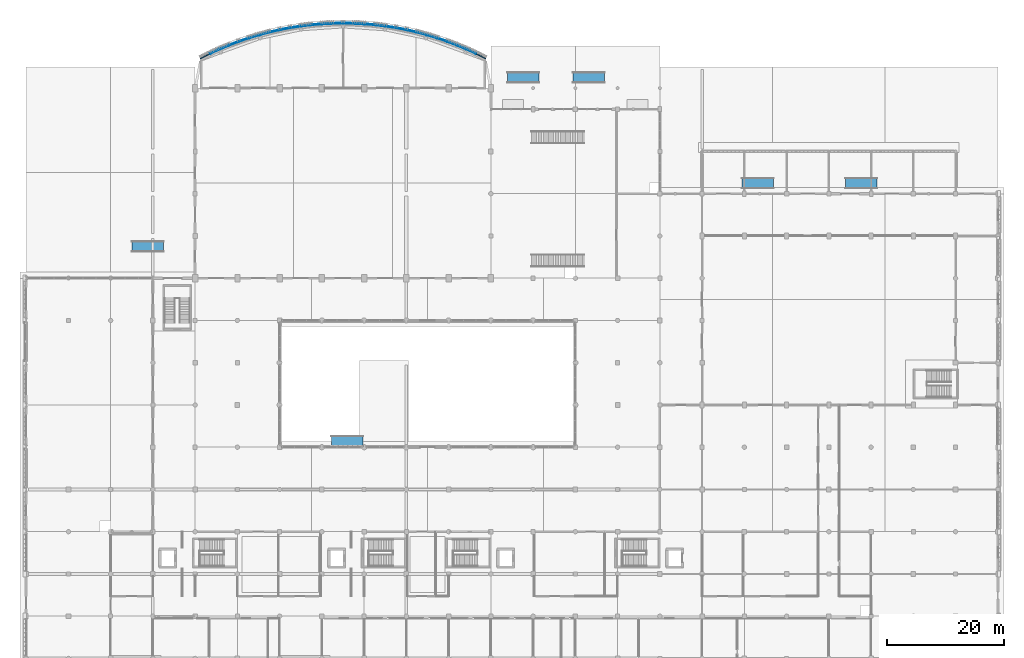
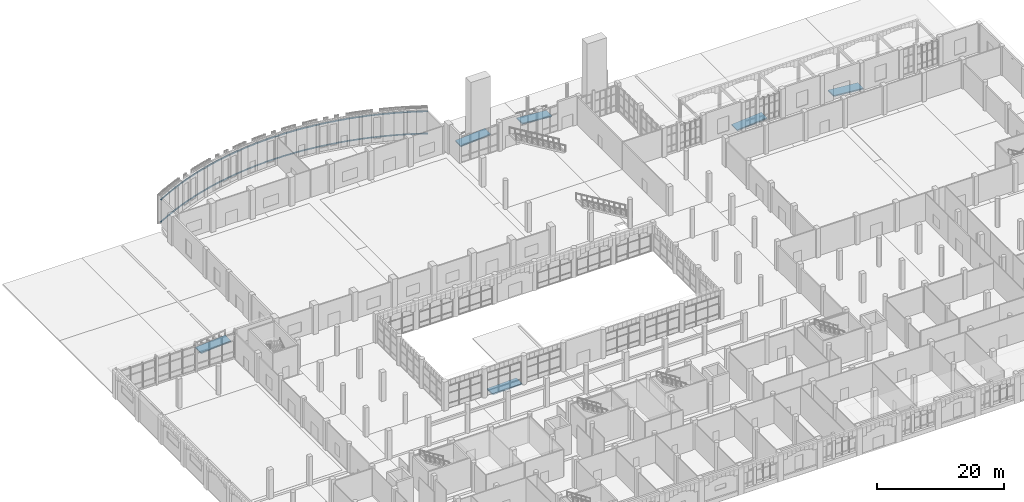
# One storey, part 66 of 85: 56 discrete accessories, 6 ramp flights, 6 elements without a shape of their own.
"""IFC4 building model written with IfcOpenShell, lengths in metres."""

from ifc_helpers import new_model, si_unit, direction, frame, origin, place, context, subcontext, project, spatial, polyline, rectangle, outline, extrude, material, type_object, element, aggregate, save


model = new_model("IFC4")

# Units and contexts
model_context = context("Model", 3, precision=1e-05, world=origin(), true_north=direction((0.0, 1.0)))
body_context = subcontext(model_context, "Body", "Model", "MODEL_VIEW")
ifc_project = project(units=[si_unit("LENGTHUNIT", "METRE"), si_unit("AREAUNIT", "SQUARE_METRE"), si_unit("VOLUMEUNIT", "CUBIC_METRE"), si_unit("PLANEANGLEUNIT", "RADIAN"), si_unit("MASSUNIT", "GRAM", prefix="KILO")], contexts=[model_context])

# Site, building, storey
site_placement = place(None, origin())
site = spatial("IfcSite", under=ifc_project, at=site_placement, CompositionType="ELEMENT")
building_placement = place(site_placement, origin())
building = spatial("IfcBuilding", under=site, at=building_placement, Name="Sardonyx Promenade Sports Hall", CompositionType="ELEMENT")
storey_placement = place(building_placement, origin())
storey = spatial("IfcBuildingStorey", under=building, at=storey_placement, Name="L00", CompositionType="ELEMENT", Elevation=0.0)

# Ramp, ramp flight
ifc_material_1 = material(Name="Concrete C40/50", Category="concrete")
ramp_type = type_object("IfcRampType", Name="Ramp_Access_1in12", PredefinedType="STRAIGHT_RUN_RAMP", material=ifc_material_1)
ramp_1_placement = place(storey_placement, frame((82.0, 106.2, -0.45), z_axis=(0.0, 0.0, 1.0), x_axis=(1.0, 0.0, 0.0)))
ramp_1 = element("IfcRamp", 1, at=ramp_1_placement, inside=storey, type_object=ramp_type, material=ifc_material_1, Name="Pishtaq Forecourt West Step-Free Ramp RMP1 #1", PredefinedType="STRAIGHT_RUN_RAMP")
ramp_flight_type = type_object("IfcRampFlightType", Name="RampFlight_Access", PredefinedType="STRAIGHT", material=ifc_material_1)
ramp_flight_1_placement = place(storey_placement, frame((82.0, 106.2, -0.45), z_axis=(0.0, -1.0, 0.0), x_axis=(1.0, 0.0, 0.0)))
ramp_flight_1 = element("IfcRampFlight", 2, at=ramp_flight_1_placement, type_object=ramp_flight_type, material=ifc_material_1, Name="Pishtaq Forecourt West Step-Free Ramp flight #1", PredefinedType="STRAIGHT", context=body_context, shape_type="SweptSolid", body=[
    extrude(outline(polyline([(0.0, 0.0), (5.4, 0.45), (5.4, 0.23), (0.0, -0.22), (0.0, 0.0)])), frame((0.0, 0.0, -0.9)), (0.0, 0.0, 1.0), 1.8),
])
aggregate(ramp_1, [ramp_flight_1])

ramp_2_placement = place(storey_placement, frame((98.6, 106.2, -0.45), z_axis=(0.0, 0.0, 1.0), x_axis=(1.0, 0.0, 0.0)))
ramp_2 = element("IfcRamp", 3, at=ramp_2_placement, inside=storey, type_object=ramp_type, material=ifc_material_1, Name="Pishtaq Forecourt East Step-Free Ramp RMP1 #2", PredefinedType="STRAIGHT_RUN_RAMP")
ramp_flight_2_placement = place(storey_placement, frame((98.6, 106.2, -0.45), z_axis=(0.0, 1.0, 0.0), x_axis=(-1.0, 0.0, 0.0)))
ramp_flight_2 = element("IfcRampFlight", 4, at=ramp_flight_2_placement, type_object=ramp_flight_type, material=ifc_material_1, Name="Pishtaq Forecourt East Step-Free Ramp flight #2", PredefinedType="STRAIGHT", context=body_context, shape_type="SweptSolid", body=[
    extrude(outline(polyline([(0.0, 0.0), (5.4, 0.45), (5.4, 0.23), (0.0, -0.22), (0.0, 0.0)])), frame((0.0, 0.0, -0.9)), (0.0, 0.0, 1.0), 1.8),
])
aggregate(ramp_2, [ramp_flight_2])

ramp_3_placement = place(storey_placement, frame((18.0, 77.4, -0.45), z_axis=(0.0, 0.0, 1.0), x_axis=(1.0, 0.0, 0.0)))
ramp_3 = element("IfcRamp", 5, at=ramp_3_placement, inside=storey, type_object=ramp_type, material=ifc_material_1, Name="West Promenade Step-Free Ramp RMP1 #3", PredefinedType="STRAIGHT_RUN_RAMP")
ramp_flight_3_placement = place(storey_placement, frame((18.0, 77.4, -0.45), z_axis=(0.0, -1.0, 0.0), x_axis=(1.0, 0.0, 0.0)))
ramp_flight_3 = element("IfcRampFlight", 6, at=ramp_flight_3_placement, type_object=ramp_flight_type, material=ifc_material_1, Name="West Promenade Step-Free Ramp flight #3", PredefinedType="STRAIGHT", context=body_context, shape_type="SweptSolid", body=[
    extrude(outline(polyline([(0.0, 0.0), (5.4, 0.45), (5.4, 0.23), (0.0, -0.22), (0.0, 0.0)])), frame((0.0, 0.0, -0.9)), (0.0, 0.0, 1.0), 1.8),
])
aggregate(ramp_3, [ramp_flight_3])

ramp_4_placement = place(storey_placement, frame((122.0, 88.2, -0.45), z_axis=(0.0, 0.0, 1.0), x_axis=(1.0, 0.0, 0.0)))
ramp_4 = element("IfcRamp", 7, at=ramp_4_placement, inside=storey, type_object=ramp_type, material=ifc_material_1, Name="East Promenade Step-Free Ramp RMP1 #4", PredefinedType="STRAIGHT_RUN_RAMP")
ramp_flight_4_placement = place(storey_placement, frame((122.0, 88.2, -0.45), z_axis=(0.0, -1.0, 0.0), x_axis=(1.0, 0.0, 0.0)))
ramp_flight_4 = element("IfcRampFlight", 8, at=ramp_flight_4_placement, type_object=ramp_flight_type, material=ifc_material_1, Name="East Promenade Step-Free Ramp flight #4", PredefinedType="STRAIGHT", context=body_context, shape_type="SweptSolid", body=[
    extrude(outline(polyline([(0.0, 0.0), (5.4, 0.45), (5.4, 0.23), (0.0, -0.22), (0.0, 0.0)])), frame((0.0, 0.0, -0.9)), (0.0, 0.0, 1.0), 1.8),
])
aggregate(ramp_4, [ramp_flight_4])

ramp_5_placement = place(storey_placement, frame((145.0, 88.2, -0.45), z_axis=(0.0, 0.0, 1.0), x_axis=(1.0, 0.0, 0.0)))
ramp_5 = element("IfcRamp", 9, at=ramp_5_placement, inside=storey, type_object=ramp_type, material=ifc_material_1, Name="Athletes Drop-Off Step-Free Ramp RMP1 #5", PredefinedType="STRAIGHT_RUN_RAMP")
ramp_flight_5_placement = place(storey_placement, frame((145.0, 88.2, -0.45), z_axis=(0.0, 1.0, 0.0), x_axis=(-1.0, 0.0, 0.0)))
ramp_flight_5 = element("IfcRampFlight", 10, at=ramp_flight_5_placement, type_object=ramp_flight_type, material=ifc_material_1, Name="Athletes Drop-Off Step-Free Ramp flight #5", PredefinedType="STRAIGHT", context=body_context, shape_type="SweptSolid", body=[
    extrude(outline(polyline([(0.0, 0.0), (5.4, 0.45), (5.4, 0.23), (0.0, -0.22), (0.0, 0.0)])), frame((0.0, 0.0, -0.9)), (0.0, 0.0, 1.0), 1.8),
])
aggregate(ramp_5, [ramp_flight_5])

ramp_6_placement = place(storey_placement, frame((52.0, 44.2, -0.18), z_axis=(0.0, 0.0, 1.0), x_axis=(1.0, 0.0, 0.0)))
ramp_6 = element("IfcRamp", 11, at=ramp_6_placement, inside=storey, type_object=ramp_type, material=ifc_material_1, Name="Charbagh Courtyard Step-Free Threshold Ramp RMP1 #6", PredefinedType="STRAIGHT_RUN_RAMP")
ramp_flight_6_placement = place(storey_placement, frame((52.0, 44.2, -0.18), z_axis=(0.0, -1.0, 0.0), x_axis=(1.0, 0.0, 0.0)))
ramp_flight_6 = element("IfcRampFlight", 12, at=ramp_flight_6_placement, type_object=ramp_flight_type, material=ifc_material_1, Name="Charbagh Courtyard Step-Free Threshold Ramp flight #6", PredefinedType="STRAIGHT", context=body_context, shape_type="SweptSolid", body=[
    extrude(outline(polyline([(0.0, 0.0), (5.4, 0.18), (5.4, -0.04), (0.0, -0.22), (0.0, 0.0)])), frame((0.0, 0.0, -0.9)), (0.0, 0.0, 1.0), 1.8),
])
aggregate(ramp_6, [ramp_flight_6])

# Discrete accessories
ifc_material_2 = material(Name="Steel S355JR", Category="steel")
discrete_accessory_type = type_object("IfcDiscreteAccessoryType", Name="Acc_Bracket_S355", PredefinedType="BRACKET", material=ifc_material_2)
for number, where, z_axis, x_axis, name in (
    (13, (30.469122, 109.831552, 0.69), (0.0, 0.0, 1.0), (0.89277382, 0.45050517, 0.0), "Facade outrigger bracket CH01 L00 #1"),
    (14, (30.469122, 109.831552, 4.97), (0.0, 0.0, 1.0), (0.89277382, 0.45050517, 0.0), "Facade outrigger bracket CH01 L00 #2"),
    (15, (32.097147, 110.618023, 0.69), (0.0, 0.0, 1.0), (0.90783091, 0.41933642, 0.0), "Facade outrigger bracket CH02 L00 #1"),
    (16, (32.097147, 110.618023, 4.97), (0.0, 0.0, 1.0), (0.90783091, 0.41933642, 0.0), "Facade outrigger bracket CH02 L00 #2"),
    (17, (33.751417, 111.347677, 0.69), (0.0, 0.0, 1.0), (0.92180024, 0.38766521, 0.0), "Facade outrigger bracket CH03 L00 #1"),
    (18, (33.751417, 111.347677, 4.97), (0.0, 0.0, 1.0), (0.92180024, 0.38766521, 0.0), "Facade outrigger bracket CH03 L00 #2"),
    (19, (35.429949, 112.019638, 0.69), (0.0, 0.0, 1.0), (0.93466568, 0.35552787, 0.0), "Facade outrigger bracket CH04 L00 #1"),
    (20, (35.429949, 112.019638, 4.97), (0.0, 0.0, 1.0), (0.93466568, 0.35552787, 0.0), "Facade outrigger bracket CH04 L00 #2"),
    (21, (37.130732, 112.633102, 0.69), (0.0, 0.0, 1.0), (0.94641052, 0.32296615, 0.0), "Facade outrigger bracket CH05 L00 #1"),
    (22, (37.130732, 112.633102, 4.97), (0.0, 0.0, 1.0), (0.94641052, 0.32296615, 0.0), "Facade outrigger bracket CH05 L00 #2"),
    (23, (38.851728, 113.187335, 0.69), (0.0, 0.0, 1.0), (0.95702136, 0.29001744, 0.0), "Facade outrigger bracket CH06 L00 #1"),
    (24, (38.851728, 113.187335, 4.97), (0.0, 0.0, 1.0), (0.95702136, 0.29001744, 0.0), "Facade outrigger bracket CH06 L00 #2"),
    (25, (40.590875, 113.681672, 0.69), (0.0, 0.0, 1.0), (0.96648549, 0.25672123, 0.0), "Facade outrigger bracket CH07 L00 #1"),
    (26, (40.590875, 113.681672, 4.97), (0.0, 0.0, 1.0), (0.96648549, 0.25672123, 0.0), "Facade outrigger bracket CH07 L00 #2"),
    (27, (42.346089, 114.11552, 0.69), (0.0, 0.0, 1.0), (0.97479158, 0.22311741, 0.0), "Facade outrigger bracket CH08 L00 #1"),
    (28, (42.346089, 114.11552, 4.97), (0.0, 0.0, 1.0), (0.97479158, 0.22311741, 0.0), "Facade outrigger bracket CH08 L00 #2"),
    (29, (44.115267, 114.488361, 0.69), (0.0, 0.0, 1.0), (0.98192966, 0.18924626, 0.0), "Facade outrigger bracket CH09 L00 #1"),
    (30, (44.115267, 114.488361, 4.97), (0.0, 0.0, 1.0), (0.98192966, 0.18924626, 0.0), "Facade outrigger bracket CH09 L00 #2"),
    (31, (45.89629, 114.799746, 0.69), (0.0, 0.0, 1.0), (0.98789118, 0.15514835, 0.0), "Facade outrigger bracket CH10 L00 #1"),
    (32, (45.89629, 114.799746, 4.97), (0.0, 0.0, 1.0), (0.98789118, 0.15514835, 0.0), "Facade outrigger bracket CH10 L00 #2"),
    (33, (47.687023, 115.049303, 0.69), (0.0, 0.0, 1.0), (0.99266922, 0.1208628, 0.0), "Facade outrigger bracket CH11 L00 #1"),
    (34, (47.687023, 115.049303, 4.97), (0.0, 0.0, 1.0), (0.99266922, 0.1208628, 0.0), "Facade outrigger bracket CH11 L00 #2"),
    (35, (49.48532, 115.236732, 0.69), (0.0, 0.0, 1.0), (0.99625756, 0.08643416, 0.0), "Facade outrigger bracket CH12 L00 #1"),
    (36, (49.48532, 115.236732, 4.97), (0.0, 0.0, 1.0), (0.99625756, 0.08643416, 0.0), "Facade outrigger bracket CH12 L00 #2"),
    (37, (51.289026, 115.361811, 0.69), (0.0, 0.0, 1.0), (0.99865218, 0.05190196, 0.0), "Facade outrigger bracket CH13 L00 #1"),
    (38, (51.289026, 115.361811, 4.97), (0.0, 0.0, 1.0), (0.99865218, 0.05190196, 0.0), "Facade outrigger bracket CH13 L00 #2"),
    (39, (53.095981, 115.424387, 0.69), (0.0, 0.0, 1.0), (0.99985021, 0.01730757, 0.0), "Facade outrigger bracket CH14 L00 #1"),
    (40, (53.095981, 115.424387, 4.97), (0.0, 0.0, 1.0), (0.99985021, 0.01730757, 0.0), "Facade outrigger bracket CH14 L00 #2"),
    (41, (54.904019, 115.424387, 0.69), (0.0, 0.0, 1.0), (0.99985021, -0.01730757, 0.0), "Facade outrigger bracket CH15 L00 #1"),
    (42, (54.904019, 115.424387, 4.97), (0.0, 0.0, 1.0), (0.99985021, -0.01730757, 0.0), "Facade outrigger bracket CH15 L00 #2"),
    (43, (56.710974, 115.361811, 0.69), (0.0, 0.0, 1.0), (0.99865218, -0.05190196, 0.0), "Facade outrigger bracket CH16 L00 #1"),
    (44, (56.710974, 115.361811, 4.97), (0.0, 0.0, 1.0), (0.99865218, -0.05190196, 0.0), "Facade outrigger bracket CH16 L00 #2"),
    (45, (58.51468, 115.236732, 0.69), (0.0, 0.0, 1.0), (0.99625756, -0.08643416, 0.0), "Facade outrigger bracket CH17 L00 #1"),
    (46, (58.51468, 115.236732, 4.97), (0.0, 0.0, 1.0), (0.99625756, -0.08643416, 0.0), "Facade outrigger bracket CH17 L00 #2"),
    (47, (60.312977, 115.049303, 0.69), (0.0, 0.0, 1.0), (0.99266922, -0.1208628, 0.0), "Facade outrigger bracket CH18 L00 #1"),
    (48, (60.312977, 115.049303, 4.97), (0.0, 0.0, 1.0), (0.99266922, -0.1208628, 0.0), "Facade outrigger bracket CH18 L00 #2"),
    (49, (62.10371, 114.799746, 0.69), (0.0, 0.0, 1.0), (0.98789118, -0.15514835, 0.0), "Facade outrigger bracket CH19 L00 #1"),
    (50, (62.10371, 114.799746, 4.97), (0.0, 0.0, 1.0), (0.98789118, -0.15514835, 0.0), "Facade outrigger bracket CH19 L00 #2"),
    (51, (63.884733, 114.488361, 0.69), (0.0, 0.0, 1.0), (0.98192966, -0.18924626, 0.0), "Facade outrigger bracket CH20 L00 #1"),
    (52, (63.884733, 114.488361, 4.97), (0.0, 0.0, 1.0), (0.98192966, -0.18924626, 0.0), "Facade outrigger bracket CH20 L00 #2"),
    (53, (65.653911, 114.11552, 0.69), (0.0, 0.0, 1.0), (0.97479158, -0.22311741, 0.0), "Facade outrigger bracket CH21 L00 #1"),
    (54, (65.653911, 114.11552, 4.97), (0.0, 0.0, 1.0), (0.97479158, -0.22311741, 0.0), "Facade outrigger bracket CH21 L00 #2"),
    (55, (67.409125, 113.681672, 0.69), (0.0, 0.0, 1.0), (0.96648549, -0.25672123, 0.0), "Facade outrigger bracket CH22 L00 #1"),
    (56, (67.409125, 113.681672, 4.97), (0.0, 0.0, 1.0), (0.96648549, -0.25672123, 0.0), "Facade outrigger bracket CH22 L00 #2"),
    (57, (69.148272, 113.187335, 0.69), (0.0, 0.0, 1.0), (0.95702136, -0.29001744, 0.0), "Facade outrigger bracket CH23 L00 #1"),
    (58, (69.148272, 113.187335, 4.97), (0.0, 0.0, 1.0), (0.95702136, -0.29001744, 0.0), "Facade outrigger bracket CH23 L00 #2"),
    (59, (70.869268, 112.633102, 0.69), (0.0, 0.0, 1.0), (0.94641052, -0.32296615, 0.0), "Facade outrigger bracket CH24 L00 #1"),
    (60, (70.869268, 112.633102, 4.97), (0.0, 0.0, 1.0), (0.94641052, -0.32296615, 0.0), "Facade outrigger bracket CH24 L00 #2"),
    (61, (72.570051, 112.019638, 0.69), (0.0, 0.0, 1.0), (0.93466568, -0.35552787, 0.0), "Facade outrigger bracket CH25 L00 #1"),
    (62, (72.570051, 112.019638, 4.97), (0.0, 0.0, 1.0), (0.93466568, -0.35552787, 0.0), "Facade outrigger bracket CH25 L00 #2"),
    (63, (74.248583, 111.347677, 0.69), (0.0, 0.0, 1.0), (0.92180024, -0.38766521, 0.0), "Facade outrigger bracket CH26 L00 #1"),
    (64, (74.248583, 111.347677, 4.97), (0.0, 0.0, 1.0), (0.92180024, -0.38766521, 0.0), "Facade outrigger bracket CH26 L00 #2"),
    (65, (75.902853, 110.618023, 0.69), (0.0, 0.0, 1.0), (0.90783091, -0.41933642, 0.0), "Facade outrigger bracket CH27 L00 #1"),
    (66, (75.902853, 110.618023, 4.97), (0.0, 0.0, 1.0), (0.90783091, -0.41933642, 0.0), "Facade outrigger bracket CH27 L00 #2"),
    (67, (77.530878, 109.831552, 0.69), (0.0, 0.0, 1.0), (0.89277382, -0.45050517, 0.0), "Facade outrigger bracket CH28 L00 #1"),
    (68, (77.530878, 109.831552, 4.97), (0.0, 0.0, 1.0), (0.89277382, -0.45050517, 0.0), "Facade outrigger bracket CH28 L00 #2"),
):
    element("IfcDiscreteAccessory", number, at=place(storey_placement, frame(where, z_axis=z_axis, x_axis=x_axis)), inside=storey, type_object=discrete_accessory_type, material=ifc_material_2, Name=name, PredefinedType="BRACKET", context=body_context, shape_type="SweptSolid", body=[
        extrude(rectangle(XDim=1.74, YDim=0.16), origin(), (0.0, 0.0, 1.0), 0.12),
    ])

save(model, "model.ifc")
